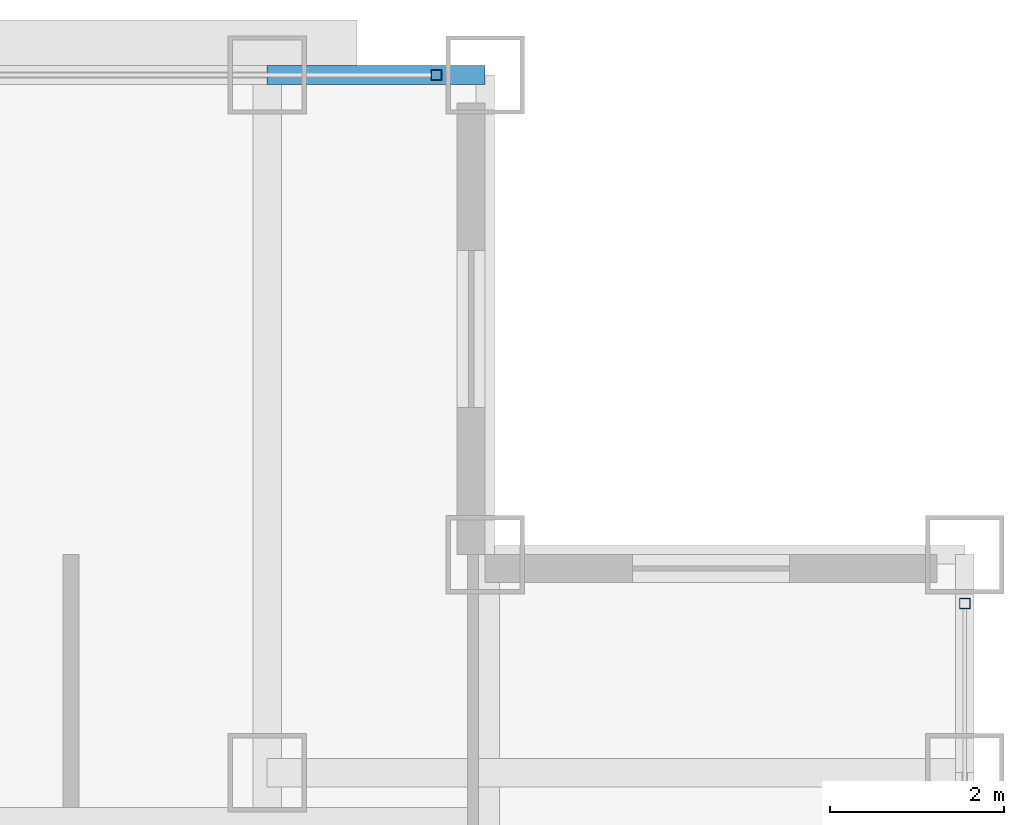
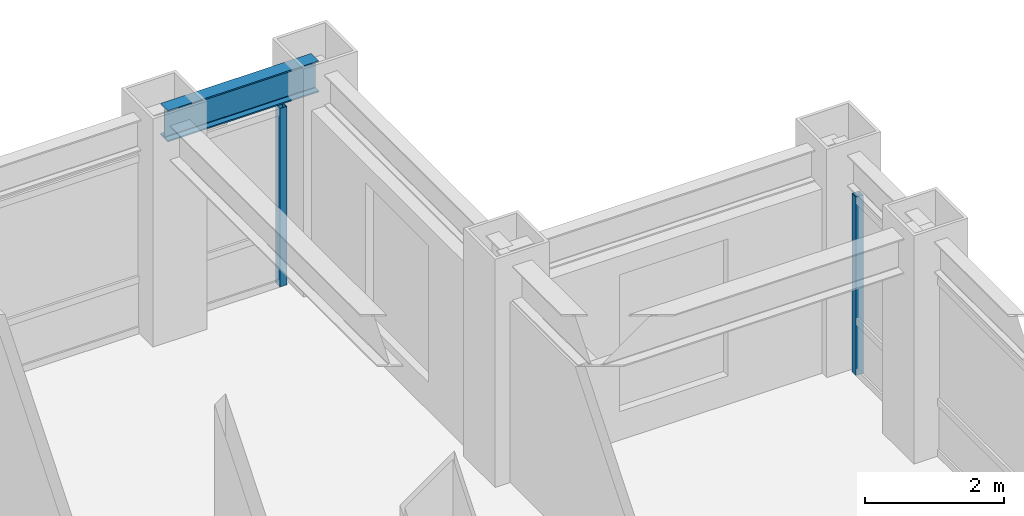
# One storey, part 16 of 27: 2 members, 1 beam, 2 elements without a shape of their own.
"""IFC4 building model written with IfcOpenShell, lengths in metres."""

from ifc_helpers import new_model, si_unit, direction, frame, origin, origin_2d, place, context, subcontext, project, spatial, hollow_rectangle, i_section, extrude, source, transform, mapped, material, material_profile, profile_set, type_object, element, aggregate, save


model = new_model("IFC4")

# Units and contexts
model_context = context("Model", 3, precision=1e-05, world=origin(), true_north=direction((0.0, 1.0)))
body_context = subcontext(model_context, "Body", "Model", "MODEL_VIEW")
ifc_project = project(units=[si_unit("LENGTHUNIT", "METRE"), si_unit("AREAUNIT", "SQUARE_METRE"), si_unit("VOLUMEUNIT", "CUBIC_METRE"), si_unit("PLANEANGLEUNIT", "RADIAN"), si_unit("MASSUNIT", "GRAM", prefix="KILO")], contexts=[model_context])

# Site, building, storey
site_placement = place(None, origin())
site = spatial("IfcSite", under=ifc_project, at=site_placement, CompositionType="ELEMENT")
building_placement = place(site_placement, origin())
building = spatial("IfcBuilding", under=site, at=building_placement, Name="Khorayat Bourse Tower", CompositionType="ELEMENT")
storey_placement = place(building_placement, frame((0.0, 0.0, 285.5)))
storey = spatial("IfcBuildingStorey", under=building, at=storey_placement, Name="L67", CompositionType="ELEMENT", Elevation=285.5)

# Beam
ifc_material_1 = material(Name="Steel ASTM A992 Grade 50", Category="steel")
ifc_material_profile_1 = material_profile(ifc_material_1, i_section(OverallWidth=0.214111328125, OverallDepth=0.549072265625, WebThickness=0.0146484375, FlangeThickness=0.023681640625, FilletRadius=0.013916015625, at=origin_2d()), Name="W530X138")
ifc_profile_set_1 = profile_set([ifc_material_profile_1], Name="Steel ASTM A992 Grade 50")
beam_type = type_object("IfcBeamType", Name="BM-SPAN-530", PredefinedType="SPANDREL", material=ifc_profile_set_1)
shared_shape_1 = source(origin(), body_context, "Body", "SweptSolid", [
    extrude(i_section(OverallWidth=0.214111328125, OverallDepth=0.549072265625, WebThickness=0.0146484375, FlangeThickness=0.023681640625, FilletRadius=0.013916015625, at=origin_2d()), origin(), (0.0, 0.0, 1.0), 2.5),
])
beam_placement = place(storey_placement, frame((20.0, 28.0, 3.505615234375), z_axis=(1.0, 0.0, 0.0), x_axis=(0.0, 1.0, 0.0)))
element("IfcBeam", 1, at=beam_placement, inside=storey, type_object=beam_type, Name="L67 BM-SPAN-530 BM-L67-SPN-044", PredefinedType="SPANDREL", context=body_context, shape_type="MappedRepresentation", body=[
    mapped(shared_shape_1, transform((0.0, 0.0, 0.0), scale=1.0)),
])

# Curtain wall, member
ifc_material_2 = material(Name="Aluminium EN AW-6063 T6", Category="aluminium")
curtain_wall_type = type_object("IfcCurtainWallType", Name="CW-SYS-04", PredefinedType="NOTDEFINED", material=ifc_material_2)
curtain_wall_1_placement = place(storey_placement, origin())
curtain_wall_1 = element("IfcCurtainWall", 2, at=curtain_wall_1_placement, inside=storey, type_object=curtain_wall_type, Name="L67 Curtain Wall CW-L67-N1", PredefinedType="NOTDEFINED")
ifc_material_profile_2 = material_profile(ifc_material_2, hollow_rectangle(XDim=0.1201171875, YDim=0.1201171875, WallThickness=0.0048828125, at=origin_2d()), Name="ALU 120x120x5")
ifc_profile_set_2 = profile_set([ifc_material_profile_2], Name="Aluminium EN AW-6063 T6")
member_type = type_object("IfcMemberType", Name="CWM-VERT-120", PredefinedType="MULLION", material=ifc_profile_set_2)
shared_shape_2 = source(origin(), body_context, "Body", "SweptSolid", [
    extrude(hollow_rectangle(XDim=0.1201171875, YDim=0.1201171875, WallThickness=0.0048828125, at=origin_2d()), origin(), (0.0, 0.0, 1.0), 3.1298828125),
])
member_1_placement = place(storey_placement, frame((21.93994140625, 28.0, 0.0), z_axis=(0.0, 0.0, 1.0), x_axis=(0.0, 1.0, 0.0)))
member_1 = element("IfcMember", 3, at=member_1_placement, type_object=member_type, Name="CW-L67-N1 Vertical Mullion 3", PredefinedType="MULLION", context=body_context, shape_type="MappedRepresentation", body=[
    mapped(shared_shape_2, transform((0.0, 0.0, 0.0), scale=1.0)),
])
aggregate(curtain_wall_1, [member_1])

curtain_wall_2_placement = place(storey_placement, origin())
curtain_wall_2 = element("IfcCurtainWall", 4, at=curtain_wall_2_placement, inside=storey, type_object=curtain_wall_type, Name="L67 Curtain Wall CW-L67-E1", PredefinedType="NOTDEFINED")
member_2_placement = place(storey_placement, frame((28.0, 21.93994140625, 0.0), z_axis=(0.0, 0.0, 1.0), x_axis=(-1.0, 0.0, 0.0)))
member_2 = element("IfcMember", 5, at=member_2_placement, type_object=member_type, Name="CW-L67-E1 Vertical Mullion 3", PredefinedType="MULLION", context=body_context, shape_type="MappedRepresentation", body=[
    mapped(shared_shape_2, transform((0.0, 0.0, 0.0), scale=1.0)),
])
aggregate(curtain_wall_2, [member_2])

save(model, "model.ifc")
